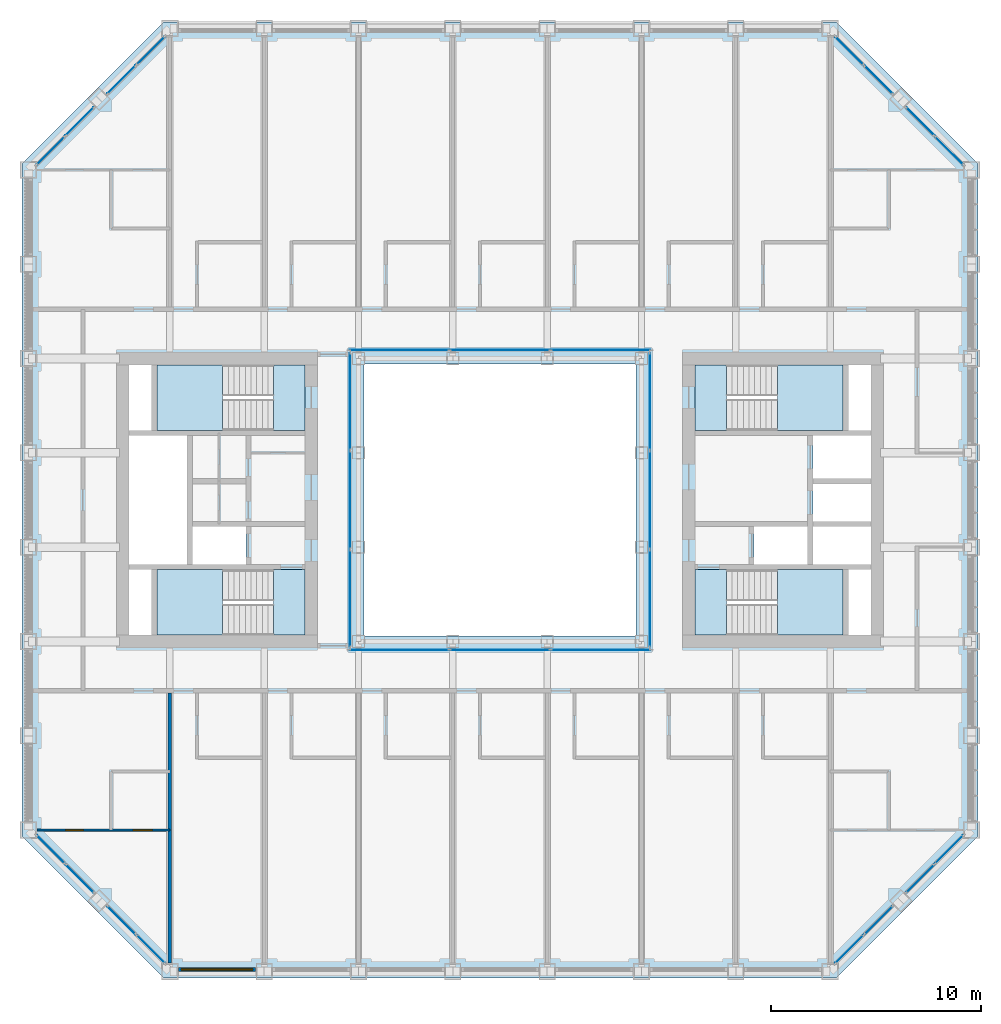
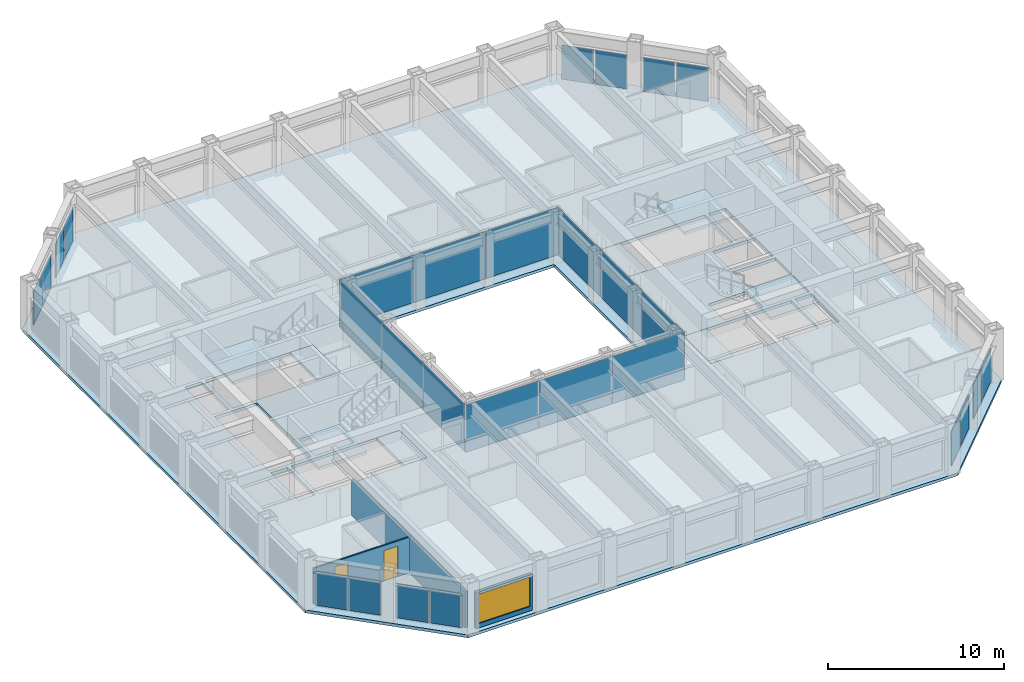
# One storey, part 9 of 18: 28 plates, 9 slabs, 3 walls, 2 doors, 1 window, 3 openings, 16 elements without a shape of their own.
"""IFC4 building model written with IfcOpenShell, lengths in metres."""

from ifc_helpers import new_model, si_unit, direction, frame, frame_2d, origin, origin_2d, place, context, subcontext, project, spatial, polyline, rectangle, outline, extrude, material, layer, layer_set, type_object, element, fill, aggregate, save


model = new_model("IFC4")

# Units and contexts
model_context = context("Model", 3, precision=1e-05, world=origin(), true_north=direction((0.0, 1.0)))
body_context = subcontext(model_context, "Body", "Model", "MODEL_VIEW")
ifc_project = project(units=[si_unit("LENGTHUNIT", "METRE"), si_unit("AREAUNIT", "SQUARE_METRE"), si_unit("VOLUMEUNIT", "CUBIC_METRE"), si_unit("PLANEANGLEUNIT", "RADIAN"), si_unit("MASSUNIT", "GRAM", prefix="KILO")], contexts=[model_context])

# Site, building, storey
site_placement = place(None, origin())
site = spatial("IfcSite", under=ifc_project, at=site_placement, CompositionType="ELEMENT")
building_placement = place(site_placement, origin())
building = spatial("IfcBuilding", under=site, at=building_placement, Name="Msasa Ring Tower", CompositionType="ELEMENT")
storey_placement = place(building_placement, frame((0.0, 0.0, 118.39990234375)))
storey = spatial("IfcBuildingStorey", under=building, at=storey_placement, Name="L30", CompositionType="ELEMENT", Elevation=118.39990234375)

# Curtain wall, plates
ifc_material_1 = material(Name="Aluminium curtain wall with clear glass", Category="aluminium")
curtain_wall_type_1 = type_object("IfcCurtainWallType", Name="CW-C CHAMFER CORNER CURTAIN WALL", PredefinedType="NOTDEFINED", material=ifc_material_1)
curtain_wall_1_placement = place(storey_placement, origin())
curtain_wall_1 = element("IfcCurtainWall", 1, at=curtain_wall_1_placement, inside=storey, type_object=curtain_wall_type_1, Name="Chamfer corner curtain wall SE L30", PredefinedType="NOTDEFINED")
ifc_material_2 = material(Name="Clear laminated insulating glass unit", Category="glass")
ifc_layer_1 = layer(ifc_material_2, 0.031982421875)
ifc_layer_set_1 = layer_set([ifc_layer_1], Name="CW-C GLASS PANEL 32")
plate_type_1 = type_object("IfcPlateType", Name="CW-C GLASS PANEL 32", PredefinedType="CURTAIN_PANEL", material=ifc_layer_set_1)
plate_1_placement = place(storey_placement, frame((16.677734375, -21.430908203125, 0.06494140625), z_axis=(0.0, 0.0, 1.0), x_axis=(0.707106781187, 0.707106781187, 0.0)))
plate_1 = element("IfcPlate", 2, at=plate_1_placement, type_object=plate_type_1, Name="CW-C panel 1.1", PredefinedType="CURTAIN_PANEL", context=body_context, shape_type="SweptSolid", body=[
    extrude(rectangle(XDim=1.884033203125, YDim=0.031982421875, at=origin_2d()), origin(), (0.0, 0.0, 1.0), 2.34912109375),
])
plate_2_placement = place(storey_placement, frame((18.055908203125, -20.052734375, 0.06494140625), z_axis=(0.0, 0.0, 1.0), x_axis=(0.707106781187, 0.707106781187, 0.0)))
plate_2 = element("IfcPlate", 3, at=plate_2_placement, type_object=plate_type_1, Name="CW-C panel 2.1", PredefinedType="CURTAIN_PANEL", context=body_context, shape_type="SweptSolid", body=[
    extrude(rectangle(XDim=1.884033203125, YDim=0.031982421875, at=origin_2d()), origin(), (0.0, 0.0, 1.0), 2.34912109375),
])
aggregate(curtain_wall_1, [plate_1, plate_2])

curtain_wall_2_placement = place(storey_placement, origin())
curtain_wall_2 = element("IfcCurtainWall", 4, at=curtain_wall_2_placement, inside=storey, type_object=curtain_wall_type_1, Name="Chamfer corner curtain wall SE L30", PredefinedType="NOTDEFINED")
plate_3_placement = place(storey_placement, frame((20.052734375, -18.055908203125, 0.06494140625), z_axis=(0.0, 0.0, 1.0), x_axis=(0.707106781187, 0.707106781187, 0.0)))
plate_3 = element("IfcPlate", 5, at=plate_3_placement, type_object=plate_type_1, Name="CW-C panel 1.1", PredefinedType="CURTAIN_PANEL", context=body_context, shape_type="SweptSolid", body=[
    extrude(rectangle(XDim=1.884033203125, YDim=0.031982421875, at=origin_2d()), origin(), (0.0, 0.0, 1.0), 2.34912109375),
])
plate_4_placement = place(storey_placement, frame((21.430908203125, -16.677734375, 0.06494140625), z_axis=(0.0, 0.0, 1.0), x_axis=(0.707106781187, 0.707106781187, 0.0)))
plate_4 = element("IfcPlate", 6, at=plate_4_placement, type_object=plate_type_1, Name="CW-C panel 2.1", PredefinedType="CURTAIN_PANEL", context=body_context, shape_type="SweptSolid", body=[
    extrude(rectangle(XDim=1.884033203125, YDim=0.031982421875, at=origin_2d()), origin(), (0.0, 0.0, 1.0), 2.34912109375),
])
aggregate(curtain_wall_2, [plate_3, plate_4])

curtain_wall_3_placement = place(storey_placement, origin())
curtain_wall_3 = element("IfcCurtainWall", 7, at=curtain_wall_3_placement, inside=storey, type_object=curtain_wall_type_1, Name="Chamfer corner curtain wall NE L30", PredefinedType="NOTDEFINED")
plate_5_placement = place(storey_placement, frame((18.055908203125, 20.052734375, 0.06494140625), z_axis=(0.0, 0.0, 1.0), x_axis=(-0.707106781187, 0.707106781187, 0.0)))
plate_5 = element("IfcPlate", 8, at=plate_5_placement, type_object=plate_type_1, Name="CW-C panel 1.1", PredefinedType="CURTAIN_PANEL", context=body_context, shape_type="SweptSolid", body=[
    extrude(rectangle(XDim=1.884033203125, YDim=0.031982421875, at=origin_2d()), origin(), (0.0, 0.0, 1.0), 2.34912109375),
])
plate_6_placement = place(storey_placement, frame((16.677734375, 21.430908203125, 0.06494140625), z_axis=(0.0, 0.0, 1.0), x_axis=(-0.707106781187, 0.707106781187, 0.0)))
plate_6 = element("IfcPlate", 9, at=plate_6_placement, type_object=plate_type_1, Name="CW-C panel 2.1", PredefinedType="CURTAIN_PANEL", context=body_context, shape_type="SweptSolid", body=[
    extrude(rectangle(XDim=1.884033203125, YDim=0.031982421875, at=origin_2d()), origin(), (0.0, 0.0, 1.0), 2.34912109375),
])
aggregate(curtain_wall_3, [plate_5, plate_6])

curtain_wall_4_placement = place(storey_placement, origin())
curtain_wall_4 = element("IfcCurtainWall", 10, at=curtain_wall_4_placement, inside=storey, type_object=curtain_wall_type_1, Name="Chamfer corner curtain wall NE L30", PredefinedType="NOTDEFINED")
plate_7_placement = place(storey_placement, frame((21.430908203125, 16.677734375, 0.06494140625), z_axis=(0.0, 0.0, 1.0), x_axis=(-0.707106781187, 0.707106781187, 0.0)))
plate_7 = element("IfcPlate", 11, at=plate_7_placement, type_object=plate_type_1, Name="CW-C panel 1.1", PredefinedType="CURTAIN_PANEL", context=body_context, shape_type="SweptSolid", body=[
    extrude(rectangle(XDim=1.884033203125, YDim=0.031982421875, at=origin_2d()), origin(), (0.0, 0.0, 1.0), 2.34912109375),
])
plate_8_placement = place(storey_placement, frame((20.052734375, 18.055908203125, 0.06494140625), z_axis=(0.0, 0.0, 1.0), x_axis=(-0.707106781187, 0.707106781187, 0.0)))
plate_8 = element("IfcPlate", 12, at=plate_8_placement, type_object=plate_type_1, Name="CW-C panel 2.1", PredefinedType="CURTAIN_PANEL", context=body_context, shape_type="SweptSolid", body=[
    extrude(rectangle(XDim=1.884033203125, YDim=0.031982421875, at=origin_2d()), origin(), (0.0, 0.0, 1.0), 2.34912109375),
])
aggregate(curtain_wall_4, [plate_7, plate_8])

curtain_wall_5_placement = place(storey_placement, origin())
curtain_wall_5 = element("IfcCurtainWall", 13, at=curtain_wall_5_placement, inside=storey, type_object=curtain_wall_type_1, Name="Chamfer corner curtain wall NW L30", PredefinedType="NOTDEFINED")
plate_9_placement = place(storey_placement, frame((-20.052734375, 18.055908203125, 0.06494140625), z_axis=(0.0, 0.0, 1.0), x_axis=(-0.707106781187, -0.707106781187, 0.0)))
plate_9 = element("IfcPlate", 14, at=plate_9_placement, type_object=plate_type_1, Name="CW-C panel 1.1", PredefinedType="CURTAIN_PANEL", context=body_context, shape_type="SweptSolid", body=[
    extrude(rectangle(XDim=1.884033203125, YDim=0.031982421875, at=origin_2d()), origin(), (0.0, 0.0, 1.0), 2.34912109375),
])
plate_10_placement = place(storey_placement, frame((-21.430908203125, 16.677734375, 0.06494140625), z_axis=(0.0, 0.0, 1.0), x_axis=(-0.707106781187, -0.707106781187, 0.0)))
plate_10 = element("IfcPlate", 15, at=plate_10_placement, type_object=plate_type_1, Name="CW-C panel 2.1", PredefinedType="CURTAIN_PANEL", context=body_context, shape_type="SweptSolid", body=[
    extrude(rectangle(XDim=1.884033203125, YDim=0.031982421875, at=origin_2d()), origin(), (0.0, 0.0, 1.0), 2.34912109375),
])
aggregate(curtain_wall_5, [plate_9, plate_10])

curtain_wall_6_placement = place(storey_placement, origin())
curtain_wall_6 = element("IfcCurtainWall", 16, at=curtain_wall_6_placement, inside=storey, type_object=curtain_wall_type_1, Name="Chamfer corner curtain wall NW L30", PredefinedType="NOTDEFINED")
plate_11_placement = place(storey_placement, frame((-16.677734375, 21.430908203125, 0.06494140625), z_axis=(0.0, 0.0, 1.0), x_axis=(-0.707106781187, -0.707106781187, 0.0)))
plate_11 = element("IfcPlate", 17, at=plate_11_placement, type_object=plate_type_1, Name="CW-C panel 1.1", PredefinedType="CURTAIN_PANEL", context=body_context, shape_type="SweptSolid", body=[
    extrude(rectangle(XDim=1.884033203125, YDim=0.031982421875, at=origin_2d()), origin(), (0.0, 0.0, 1.0), 2.34912109375),
])
plate_12_placement = place(storey_placement, frame((-18.055908203125, 20.052734375, 0.06494140625), z_axis=(0.0, 0.0, 1.0), x_axis=(-0.707106781187, -0.707106781187, 0.0)))
plate_12 = element("IfcPlate", 18, at=plate_12_placement, type_object=plate_type_1, Name="CW-C panel 2.1", PredefinedType="CURTAIN_PANEL", context=body_context, shape_type="SweptSolid", body=[
    extrude(rectangle(XDim=1.884033203125, YDim=0.031982421875, at=origin_2d()), origin(), (0.0, 0.0, 1.0), 2.34912109375),
])
aggregate(curtain_wall_6, [plate_11, plate_12])

curtain_wall_7_placement = place(storey_placement, origin())
curtain_wall_7 = element("IfcCurtainWall", 19, at=curtain_wall_7_placement, inside=storey, type_object=curtain_wall_type_1, Name="Chamfer corner curtain wall SW L30", PredefinedType="NOTDEFINED")
plate_13_placement = place(storey_placement, frame((-21.430908203125, -16.677734375, 0.06494140625), z_axis=(0.0, 0.0, 1.0), x_axis=(0.707106781187, -0.707106781187, 0.0)))
plate_13 = element("IfcPlate", 20, at=plate_13_placement, type_object=plate_type_1, Name="CW-C panel 1.1", PredefinedType="CURTAIN_PANEL", context=body_context, shape_type="SweptSolid", body=[
    extrude(rectangle(XDim=1.884033203125, YDim=0.031982421875, at=origin_2d()), origin(), (0.0, 0.0, 1.0), 2.34912109375),
])
plate_14_placement = place(storey_placement, frame((-20.052734375, -18.055908203125, 0.06494140625), z_axis=(0.0, 0.0, 1.0), x_axis=(0.707106781187, -0.707106781187, 0.0)))
plate_14 = element("IfcPlate", 21, at=plate_14_placement, type_object=plate_type_1, Name="CW-C panel 2.1", PredefinedType="CURTAIN_PANEL", context=body_context, shape_type="SweptSolid", body=[
    extrude(rectangle(XDim=1.884033203125, YDim=0.031982421875, at=origin_2d()), origin(), (0.0, 0.0, 1.0), 2.34912109375),
])
aggregate(curtain_wall_7, [plate_13, plate_14])

curtain_wall_8_placement = place(storey_placement, origin())
curtain_wall_8 = element("IfcCurtainWall", 22, at=curtain_wall_8_placement, inside=storey, type_object=curtain_wall_type_1, Name="Chamfer corner curtain wall SW L30", PredefinedType="NOTDEFINED")
plate_15_placement = place(storey_placement, frame((-18.055908203125, -20.052734375, 0.06494140625), z_axis=(0.0, 0.0, 1.0), x_axis=(0.707106781187, -0.707106781187, 0.0)))
plate_15 = element("IfcPlate", 23, at=plate_15_placement, type_object=plate_type_1, Name="CW-C panel 1.1", PredefinedType="CURTAIN_PANEL", context=body_context, shape_type="SweptSolid", body=[
    extrude(rectangle(XDim=1.884033203125, YDim=0.031982421875, at=origin_2d()), origin(), (0.0, 0.0, 1.0), 2.34912109375),
])
plate_16_placement = place(storey_placement, frame((-16.677734375, -21.430908203125, 0.06494140625), z_axis=(0.0, 0.0, 1.0), x_axis=(0.707106781187, -0.707106781187, 0.0)))
plate_16 = element("IfcPlate", 24, at=plate_16_placement, type_object=plate_type_1, Name="CW-C panel 2.1", PredefinedType="CURTAIN_PANEL", context=body_context, shape_type="SweptSolid", body=[
    extrude(rectangle(XDim=1.884033203125, YDim=0.031982421875, at=origin_2d()), origin(), (0.0, 0.0, 1.0), 2.34912109375),
])
aggregate(curtain_wall_8, [plate_15, plate_16])

ifc_material_3 = material(Name="Aluminium curtain wall with clear glass", Category="aluminium")
curtain_wall_type_2 = type_object("IfcCurtainWallType", Name="CW-W LIGHT WELL CURTAIN WALL", PredefinedType="NOTDEFINED", material=ifc_material_3)
curtain_wall_9_placement = place(storey_placement, origin())
curtain_wall_9 = element("IfcCurtainWall", 25, at=curtain_wall_9_placement, inside=storey, type_object=curtain_wall_type_2, Name="Light well curtain wall N L30", PredefinedType="NOTDEFINED")
ifc_material_4 = material(Name="Clear laminated insulating glass unit", Category="glass")
ifc_layer_2 = layer(ifc_material_4, 0.028076171875)
ifc_layer_set_2 = layer_set([ifc_layer_2], Name="CW-W GLASS PANEL 28")
plate_type_2 = type_object("IfcPlateType", Name="CW-W GLASS PANEL 28", PredefinedType="CURTAIN_PANEL", material=ifc_layer_set_2)
plate_17_placement = place(storey_placement, frame((-4.804931640625, 7.14990234375, 0.06005859375), z_axis=(0.0, 0.0, 1.0), x_axis=(1.0, 0.0, 0.0)))
plate_17 = element("IfcPlate", 26, at=plate_17_placement, type_object=plate_type_2, Name="CW-W panel 1.1", PredefinedType="CURTAIN_PANEL", context=body_context, shape_type="SweptSolid", body=[
    extrude(rectangle(XDim=4.72998046875, YDim=0.028076171875, at=origin_2d()), origin(), (0.0, 0.0, 1.0), 3.280029296875),
])
plate_18_placement = place(storey_placement, frame((0.0, 7.14990234375, 0.06005859375), z_axis=(0.0, 0.0, 1.0), x_axis=(1.0, 0.0, 0.0)))
plate_18 = element("IfcPlate", 27, at=plate_18_placement, type_object=plate_type_2, Name="CW-W panel 2.1", PredefinedType="CURTAIN_PANEL", context=body_context, shape_type="SweptSolid", body=[
    extrude(rectangle(XDim=4.760009765625, YDim=0.028076171875, at=origin_2d()), origin(), (0.0, 0.0, 1.0), 3.280029296875),
])
plate_19_placement = place(storey_placement, frame((4.804931640625, 7.14990234375, 0.06005859375), z_axis=(0.0, 0.0, 1.0), x_axis=(1.0, 0.0, 0.0)))
plate_19 = element("IfcPlate", 28, at=plate_19_placement, type_object=plate_type_2, Name="CW-W panel 3.1", PredefinedType="CURTAIN_PANEL", context=body_context, shape_type="SweptSolid", body=[
    extrude(rectangle(XDim=4.72998046875, YDim=0.028076171875, at=origin_2d()), origin(), (0.0, 0.0, 1.0), 3.280029296875),
])
aggregate(curtain_wall_9, [plate_17, plate_18, plate_19])

curtain_wall_10_placement = place(storey_placement, origin())
curtain_wall_10 = element("IfcCurtainWall", 29, at=curtain_wall_10_placement, inside=storey, type_object=curtain_wall_type_2, Name="Light well curtain wall S L30", PredefinedType="NOTDEFINED")
plate_20_placement = place(storey_placement, frame((-4.804931640625, -7.14990234375, 0.06005859375), z_axis=(0.0, 0.0, 1.0), x_axis=(1.0, 0.0, 0.0)))
plate_20 = element("IfcPlate", 30, at=plate_20_placement, type_object=plate_type_2, Name="CW-W panel 1.1", PredefinedType="CURTAIN_PANEL", context=body_context, shape_type="SweptSolid", body=[
    extrude(rectangle(XDim=4.72998046875, YDim=0.028076171875, at=origin_2d()), origin(), (0.0, 0.0, 1.0), 3.280029296875),
])
plate_21_placement = place(storey_placement, frame((0.0, -7.14990234375, 0.06005859375), z_axis=(0.0, 0.0, 1.0), x_axis=(1.0, 0.0, 0.0)))
plate_21 = element("IfcPlate", 31, at=plate_21_placement, type_object=plate_type_2, Name="CW-W panel 2.1", PredefinedType="CURTAIN_PANEL", context=body_context, shape_type="SweptSolid", body=[
    extrude(rectangle(XDim=4.760009765625, YDim=0.028076171875, at=origin_2d()), origin(), (0.0, 0.0, 1.0), 3.280029296875),
])
plate_22_placement = place(storey_placement, frame((4.804931640625, -7.14990234375, 0.06005859375), z_axis=(0.0, 0.0, 1.0), x_axis=(1.0, 0.0, 0.0)))
plate_22 = element("IfcPlate", 32, at=plate_22_placement, type_object=plate_type_2, Name="CW-W panel 3.1", PredefinedType="CURTAIN_PANEL", context=body_context, shape_type="SweptSolid", body=[
    extrude(rectangle(XDim=4.72998046875, YDim=0.028076171875, at=origin_2d()), origin(), (0.0, 0.0, 1.0), 3.280029296875),
])
aggregate(curtain_wall_10, [plate_20, plate_21, plate_22])

curtain_wall_11_placement = place(storey_placement, origin())
curtain_wall_11 = element("IfcCurtainWall", 33, at=curtain_wall_11_placement, inside=storey, type_object=curtain_wall_type_2, Name="Light well curtain wall E L30", PredefinedType="NOTDEFINED")
plate_23_placement = place(storey_placement, frame((7.14990234375, -4.6982421875, 0.06005859375), z_axis=(0.0, 0.0, 1.0), x_axis=(0.0, 1.0, 0.0)))
plate_23 = element("IfcPlate", 34, at=plate_23_placement, type_object=plate_type_2, Name="CW-W panel 1.1", PredefinedType="CURTAIN_PANEL", context=body_context, shape_type="SweptSolid", body=[
    extrude(rectangle(XDim=4.623291015625, YDim=0.028076171875, at=origin_2d()), origin(), (0.0, 0.0, 1.0), 3.280029296875),
])
plate_24_placement = place(storey_placement, frame((7.14990234375, 0.0, 0.06005859375), z_axis=(0.0, 0.0, 1.0), x_axis=(0.0, 1.0, 0.0)))
plate_24 = element("IfcPlate", 35, at=plate_24_placement, type_object=plate_type_2, Name="CW-W panel 2.1", PredefinedType="CURTAIN_PANEL", context=body_context, shape_type="SweptSolid", body=[
    extrude(rectangle(XDim=4.6533203125, YDim=0.028076171875, at=origin_2d()), origin(), (0.0, 0.0, 1.0), 3.280029296875),
])
plate_25_placement = place(storey_placement, frame((7.14990234375, 4.6982421875, 0.06005859375), z_axis=(0.0, 0.0, 1.0), x_axis=(0.0, 1.0, 0.0)))
plate_25 = element("IfcPlate", 36, at=plate_25_placement, type_object=plate_type_2, Name="CW-W panel 3.1", PredefinedType="CURTAIN_PANEL", context=body_context, shape_type="SweptSolid", body=[
    extrude(rectangle(XDim=4.623291015625, YDim=0.028076171875, at=origin_2d()), origin(), (0.0, 0.0, 1.0), 3.280029296875),
])
aggregate(curtain_wall_11, [plate_23, plate_24, plate_25])

curtain_wall_12_placement = place(storey_placement, origin())
curtain_wall_12 = element("IfcCurtainWall", 37, at=curtain_wall_12_placement, inside=storey, type_object=curtain_wall_type_2, Name="Light well curtain wall W L30", PredefinedType="NOTDEFINED")
plate_26_placement = place(storey_placement, frame((-7.14990234375, -4.6982421875, 0.06005859375), z_axis=(0.0, 0.0, 1.0), x_axis=(0.0, 1.0, 0.0)))
plate_26 = element("IfcPlate", 38, at=plate_26_placement, type_object=plate_type_2, Name="CW-W panel 1.1", PredefinedType="CURTAIN_PANEL", context=body_context, shape_type="SweptSolid", body=[
    extrude(rectangle(XDim=4.623291015625, YDim=0.028076171875, at=origin_2d()), origin(), (0.0, 0.0, 1.0), 3.280029296875),
])
plate_27_placement = place(storey_placement, frame((-7.14990234375, 0.0, 0.06005859375), z_axis=(0.0, 0.0, 1.0), x_axis=(0.0, 1.0, 0.0)))
plate_27 = element("IfcPlate", 39, at=plate_27_placement, type_object=plate_type_2, Name="CW-W panel 2.1", PredefinedType="CURTAIN_PANEL", context=body_context, shape_type="SweptSolid", body=[
    extrude(rectangle(XDim=4.6533203125, YDim=0.028076171875, at=origin_2d()), origin(), (0.0, 0.0, 1.0), 3.280029296875),
])
plate_28_placement = place(storey_placement, frame((-7.14990234375, 4.6982421875, 0.06005859375), z_axis=(0.0, 0.0, 1.0), x_axis=(0.0, 1.0, 0.0)))
plate_28 = element("IfcPlate", 40, at=plate_28_placement, type_object=plate_type_2, Name="CW-W panel 3.1", PredefinedType="CURTAIN_PANEL", context=body_context, shape_type="SweptSolid", body=[
    extrude(rectangle(XDim=4.623291015625, YDim=0.028076171875, at=origin_2d()), origin(), (0.0, 0.0, 1.0), 3.280029296875),
])
aggregate(curtain_wall_12, [plate_26, plate_27, plate_28])

# Stair, slabs
ifc_material_5 = material(Name="Concrete C40/50", Category="concrete")
stair_type = type_object("IfcStairType", Name="STC CORE STAIR 20 RISERS 180", PredefinedType="HALF_TURN_STAIR", material=ifc_material_5)
stair_1_placement = place(storey_placement, origin())
stair_1 = element("IfcStair", 41, at=stair_1_placement, inside=storey, type_object=stair_type, Name="Core stair SEA L30", PredefinedType="HALF_TURN_STAIR")
ifc_material_6 = material(Name="Concrete C40/50", Category="concrete")
ifc_layer_3 = layer(ifc_material_6, 0.199951171875)
ifc_layer_set_3 = layer_set([ifc_layer_3], Name="LD1 CORE STAIR LANDING 200")
slab_type_1 = type_object("IfcSlabType", Name="LD1 CORE STAIR LANDING 200", PredefinedType="LANDING", material=ifc_layer_set_3)
slab_1_placement = place(storey_placement, frame((0.0, 0.0, -0.199951171875)))
slab_1 = element("IfcSlab", 42, at=slab_1_placement, type_object=slab_type_1, Name="SEA landing 1", PredefinedType="LANDING", context=body_context, shape_type="SweptSolid", body=[
    extrude(outline(polyline([(9.300048828125, -6.449951171875), (10.800048828125, -6.449951171875), (10.800048828125, -3.324951171875), (9.300048828125, -3.324951171875), (9.300048828125, -6.449951171875)])), origin(), (0.0, 0.0, 1.0), 0.199951171875),
])
slab_2_placement = place(storey_placement, frame((0.0, 0.0, 1.60009765625)))
slab_2 = element("IfcSlab", 43, at=slab_2_placement, type_object=slab_type_1, Name="SEA landing 2", PredefinedType="LANDING", context=body_context, shape_type="SweptSolid", body=[
    extrude(outline(polyline([(13.22998046875, -6.449951171875), (16.375, -6.449951171875), (16.375, -3.324951171875), (13.22998046875, -3.324951171875), (13.22998046875, -6.449951171875)])), origin(), (0.0, 0.0, 1.0), 0.199951171875),
])
aggregate(stair_1, [slab_1, slab_2])

stair_2_placement = place(storey_placement, origin())
stair_2 = element("IfcStair", 44, at=stair_2_placement, inside=storey, type_object=stair_type, Name="Core stair SEB L30", PredefinedType="HALF_TURN_STAIR")
slab_3_placement = place(storey_placement, frame((0.0, 0.0, -0.199951171875)))
slab_3 = element("IfcSlab", 45, at=slab_3_placement, type_object=slab_type_1, Name="SEB landing 1", PredefinedType="LANDING", context=body_context, shape_type="SweptSolid", body=[
    extrude(outline(polyline([(9.300048828125, 3.324951171875), (10.800048828125, 3.324951171875), (10.800048828125, 6.449951171875), (9.300048828125, 6.449951171875), (9.300048828125, 3.324951171875)])), origin(), (0.0, 0.0, 1.0), 0.199951171875),
])
slab_4_placement = place(storey_placement, frame((0.0, 0.0, 1.60009765625)))
slab_4 = element("IfcSlab", 46, at=slab_4_placement, type_object=slab_type_1, Name="SEB landing 2", PredefinedType="LANDING", context=body_context, shape_type="SweptSolid", body=[
    extrude(outline(polyline([(13.22998046875, 3.324951171875), (16.375, 3.324951171875), (16.375, 6.449951171875), (13.22998046875, 6.449951171875), (13.22998046875, 3.324951171875)])), origin(), (0.0, 0.0, 1.0), 0.199951171875),
])
aggregate(stair_2, [slab_3, slab_4])

stair_3_placement = place(storey_placement, origin())
stair_3 = element("IfcStair", 47, at=stair_3_placement, inside=storey, type_object=stair_type, Name="Core stair SWA L30", PredefinedType="HALF_TURN_STAIR")
slab_5_placement = place(storey_placement, frame((0.0, 0.0, -0.199951171875)))
slab_5 = element("IfcSlab", 48, at=slab_5_placement, type_object=slab_type_1, Name="SWA landing 1", PredefinedType="LANDING", context=body_context, shape_type="SweptSolid", body=[
    extrude(outline(polyline([(-10.800048828125, -6.449951171875), (-9.300048828125, -6.449951171875), (-9.300048828125, -3.324951171875), (-10.800048828125, -3.324951171875), (-10.800048828125, -6.449951171875)])), origin(), (0.0, 0.0, 1.0), 0.199951171875),
])
slab_6_placement = place(storey_placement, frame((0.0, 0.0, 1.60009765625)))
slab_6 = element("IfcSlab", 49, at=slab_6_placement, type_object=slab_type_1, Name="SWA landing 2", PredefinedType="LANDING", context=body_context, shape_type="SweptSolid", body=[
    extrude(outline(polyline([(-16.375, -6.449951171875), (-13.22998046875, -6.449951171875), (-13.22998046875, -3.324951171875), (-16.375, -3.324951171875), (-16.375, -6.449951171875)])), origin(), (0.0, 0.0, 1.0), 0.199951171875),
])
aggregate(stair_3, [slab_5, slab_6])

stair_4_placement = place(storey_placement, origin())
stair_4 = element("IfcStair", 50, at=stair_4_placement, inside=storey, type_object=stair_type, Name="Core stair SWB L30", PredefinedType="HALF_TURN_STAIR")
slab_7_placement = place(storey_placement, frame((0.0, 0.0, -0.199951171875)))
slab_7 = element("IfcSlab", 51, at=slab_7_placement, type_object=slab_type_1, Name="SWB landing 1", PredefinedType="LANDING", context=body_context, shape_type="SweptSolid", body=[
    extrude(outline(polyline([(-10.800048828125, 3.324951171875), (-9.300048828125, 3.324951171875), (-9.300048828125, 6.449951171875), (-10.800048828125, 6.449951171875), (-10.800048828125, 3.324951171875)])), origin(), (0.0, 0.0, 1.0), 0.199951171875),
])
slab_8_placement = place(storey_placement, frame((0.0, 0.0, 1.60009765625)))
slab_8 = element("IfcSlab", 52, at=slab_8_placement, type_object=slab_type_1, Name="SWB landing 2", PredefinedType="LANDING", context=body_context, shape_type="SweptSolid", body=[
    extrude(outline(polyline([(-16.375, 3.324951171875), (-13.22998046875, 3.324951171875), (-13.22998046875, 6.449951171875), (-16.375, 6.449951171875), (-16.375, 3.324951171875)])), origin(), (0.0, 0.0, 1.0), 0.199951171875),
])
aggregate(stair_4, [slab_7, slab_8])

# Slab
ifc_material_7 = material(Name="Concrete C40/50", Category="concrete")
ifc_layer_4 = layer(ifc_material_7, 0.199951171875)
ifc_layer_set_4 = layer_set([ifc_layer_4], Name="S6 GUEST FLOOR 200")
slab_type_2 = type_object("IfcSlabType", Name="S6 GUEST FLOOR 200", PredefinedType="FLOOR", material=ifc_layer_set_4)
slab_9_placement = place(storey_placement, frame((0.0, 0.0, -0.199951171875)))
element("IfcSlab", 53, at=slab_9_placement, inside=storey, type_object=slab_type_2, Name="Floor slab L30", PredefinedType="FLOOR", context=body_context, shape_type="SweptSolid", body=[
    extrude(outline(polyline([(-16.050048828125, -22.800048828125), (16.050048828125, -22.800048828125), (22.800048828125, -16.050048828125), (22.800048828125, 16.050048828125), (16.050048828125, 22.800048828125), (-16.050048828125, 22.800048828125), (-22.800048828125, 16.050048828125), (-22.800048828125, -16.050048828125), (-16.050048828125, -22.800048828125)]), holes=[polyline([(-6.5, -6.5), (6.5, -6.5), (6.5, 6.5), (-6.5, 6.5), (-6.5, -6.5)]), polyline([(9.300048828125, -6.449951171875), (16.375, -6.449951171875), (16.375, -3.324951171875), (9.300048828125, -3.324951171875), (9.300048828125, -6.449951171875)]), polyline([(9.300048828125, 3.324951171875), (16.375, 3.324951171875), (16.375, 6.449951171875), (9.300048828125, 6.449951171875), (9.300048828125, 3.324951171875)]), polyline([(12.125, -3.074951171875), (14.675048828125, -3.074951171875), (14.675048828125, -1.27490234375), (12.125, -1.27490234375), (12.125, -3.074951171875)]), polyline([(16.625, -6.449951171875), (17.699951171875, -6.449951171875), (17.699951171875, -3.324951171875), (16.625, -3.324951171875), (16.625, -6.449951171875)]), polyline([(16.625, 3.324951171875), (17.699951171875, 3.324951171875), (17.699951171875, 6.449951171875), (16.625, 6.449951171875), (16.625, 3.324951171875)]), polyline([(14.925048828125, -3.074951171875), (17.699951171875, -3.074951171875), (17.699951171875, -1.27490234375), (14.925048828125, -1.27490234375), (14.925048828125, -3.074951171875)]), polyline([(14.925048828125, -1.02490234375), (17.699951171875, -1.02490234375), (17.699951171875, 0.77490234375), (14.925048828125, 0.77490234375), (14.925048828125, -1.02490234375)]), polyline([(14.925048828125, 1.02490234375), (17.699951171875, 1.02490234375), (17.699951171875, 3.074951171875), (14.925048828125, 3.074951171875), (14.925048828125, 1.02490234375)]), polyline([(-16.375, -6.449951171875), (-9.300048828125, -6.449951171875), (-9.300048828125, -3.324951171875), (-16.375, -3.324951171875), (-16.375, -6.449951171875)]), polyline([(-16.375, 3.324951171875), (-9.300048828125, 3.324951171875), (-9.300048828125, 6.449951171875), (-16.375, 6.449951171875), (-16.375, 3.324951171875)]), polyline([(-14.675048828125, -3.074951171875), (-12.125, -3.074951171875), (-12.125, -1.27490234375), (-14.675048828125, -1.27490234375), (-14.675048828125, -3.074951171875)]), polyline([(-17.699951171875, -6.449951171875), (-16.625, -6.449951171875), (-16.625, -3.324951171875), (-17.699951171875, -3.324951171875), (-17.699951171875, -6.449951171875)]), polyline([(-17.699951171875, 3.324951171875), (-16.625, 3.324951171875), (-16.625, 6.449951171875), (-17.699951171875, 6.449951171875), (-17.699951171875, 3.324951171875)]), polyline([(-17.699951171875, -3.074951171875), (-14.925048828125, -3.074951171875), (-14.925048828125, 3.074951171875), (-17.699951171875, 3.074951171875), (-17.699951171875, -3.074951171875)])]), origin(), (0.0, 0.0, 1.0), 0.199951171875),
])

# Wall, opening, window
ifc_material_8 = material(Name="Terracotta rainscreen on blockwork", Category="masonry")
ifc_layer_5 = layer(ifc_material_8, 0.199951171875)
ifc_layer_set_5 = layer_set([ifc_layer_5], Name="FW1 TERRACOTTA-LINED INFILL BAY WALL 200")
wall_type_1 = type_object("IfcWallType", Name="FW1 TERRACOTTA-LINED INFILL BAY WALL 200", PredefinedType="SOLIDWALL", material=ifc_layer_set_5)
wall_1_placement = place(storey_placement, frame((-15.344970703125, -22.39990234375, 0.0), z_axis=(0.0, 0.0, 1.0), x_axis=(1.0, 0.0, 0.0)))
wall_1 = element("IfcWall", 54, at=wall_1_placement, inside=storey, type_object=wall_type_1, Name="Infill bay wall S L30 00", PredefinedType="SOLIDWALL", context=body_context, shape_type="SweptSolid", body=[
    extrude(rectangle(XDim=3.68994140625, YDim=0.199951171875, at=frame_2d((1.844970703125, 0.0))), origin(), (0.0, 0.0, 1.0), 2.47900390625),
])
opening_1_placement = place(wall_1_placement, frame((0.14501953125, 0.0, 0.300048828125)))
opening_1 = element("IfcOpeningElement", 55, at=opening_1_placement, cuts=wall_1, Name="Opening WN2", PredefinedType="OPENING", context=body_context, shape_type="SweptSolid", body=[
    extrude(rectangle(XDim=3.39990234375, YDim=2.029052734375, at=frame_2d((1.699951171875, 1.0146484375))), frame((0.0, 0.10986328125, 0.0), z_axis=(0.0, -1.0, 0.0), x_axis=(1.0, 0.0, 0.0)), (0.0, 0.0, 1.0), 0.219970703125),
])
ifc_material_9 = material(Name="Aluminium frame with clear glass", Category="aluminium")
window_type = type_object("IfcWindowType", Name="WN2 GUEST ROOM WINDOW 3400x2029", PartitioningType="SINGLE_PANEL", PredefinedType="WINDOW", material=ifc_material_9)
window_placement = place(opening_1_placement, origin())
window = element("IfcWindow", 56, at=window_placement, inside=storey, type_object=window_type, Name="Window S L30 00", OverallHeight=2.029052734375, OverallWidth=3.39990234375, PartitioningType="SINGLE_PANEL", PredefinedType="WINDOW", context=body_context, shape_type="SweptSolid", body=[
    extrude(rectangle(XDim=3.39990234375, YDim=2.029052734375, at=frame_2d((1.699951171875, 1.0146484375))), frame((0.0, 0.030029296875, 0.0), z_axis=(0.0, -1.0, 0.0), x_axis=(1.0, 0.0, 0.0)), (0.0, 0.0, 1.0), 0.06005859375),
])
fill(opening_1, window)

# Wall, openings, doors
ifc_material_10 = material(Name="Gypsum board on steel studs", Category="steel")
ifc_layer_6 = layer(ifc_material_10, 0.10009765625)
ifc_layer_set_6 = layer_set([ifc_layer_6], Name="PT2 STUD PARTITION 100")
wall_type_2 = type_object("IfcWallType", Name="PT2 STUD PARTITION 100", PredefinedType="PARTITIONING", material=ifc_layer_set_6)
wall_2_placement = place(storey_placement, frame((-22.10009765625, -15.75, 0.0), z_axis=(0.0, 0.0, 1.0), x_axis=(1.0, 0.0, 0.0)))
wall_2 = element("IfcWall", 57, at=wall_2_placement, inside=storey, type_object=wall_type_2, Name="Partition L30-CSSWX", PredefinedType="PARTITIONING", context=body_context, shape_type="SweptSolid", body=[
    extrude(rectangle(XDim=6.35009765625, YDim=0.10009765625, at=frame_2d((3.175048828125, 0.0))), origin(), (0.0, 0.0, 1.0), 2.473388671875),
])
opening_2_placement = place(wall_2_placement, frame((1.375, 0.0, 0.0)))
opening_2 = element("IfcOpeningElement", 58, at=opening_2_placement, cuts=wall_2, Name="Opening HA-055", PredefinedType="OPENING", context=body_context, shape_type="SweptSolid", body=[
    extrude(rectangle(XDim=0.85009765625, YDim=2.10009765625, at=frame_2d((0.425048828125, 1.050048828125))), frame((0.0, 0.06005859375, 0.0), z_axis=(0.0, -1.0, 0.0), x_axis=(1.0, 0.0, 0.0)), (0.0, 0.0, 1.0), 0.1201171875),
])
opening_3_placement = place(wall_2_placement, frame((4.60009765625, 0.0, 0.0)))
opening_3 = element("IfcOpeningElement", 59, at=opening_3_placement, cuts=wall_2, Name="Opening HA-056", PredefinedType="OPENING", context=body_context, shape_type="SweptSolid", body=[
    extrude(rectangle(XDim=0.89990234375, YDim=2.10009765625, at=frame_2d((0.449951171875, 1.050048828125))), frame((0.0, 0.06005859375, 0.0), z_axis=(0.0, -1.0, 0.0), x_axis=(1.0, 0.0, 0.0)), (0.0, 0.0, 1.0), 0.1201171875),
])
ifc_material_11 = material(Name="Timber door leaf in a steel frame", Category="steel")
door_type_1 = type_object("IfcDoorType", Name="D14 BEDROOM DOOR 850x2100", OperationType="SINGLE_SWING_LEFT", PredefinedType="DOOR", material=ifc_material_11)
door_1_placement = place(opening_2_placement, origin())
door_1 = element("IfcDoor", 60, at=door_1_placement, inside=storey, type_object=door_type_1, Name="Door L30-CSSWR1", OperationType="SINGLE_SWING_LEFT", OverallHeight=2.10009765625, OverallWidth=0.85009765625, PredefinedType="DOOR", context=body_context, shape_type="SweptSolid", body=[
    extrude(rectangle(XDim=0.85009765625, YDim=2.10009765625, at=frame_2d((0.425048828125, 1.050048828125))), frame((0.0, 0.02490234375, 0.0), z_axis=(0.0, -1.0, 0.0), x_axis=(1.0, 0.0, 0.0)), (0.0, 0.0, 1.0), 0.050048828125),
])
fill(opening_2, door_1)
ifc_material_12 = material(Name="Timber door leaf in a steel frame", Category="steel")
door_type_2 = type_object("IfcDoorType", Name="D3 BATHROOM DOOR 900x2100", OperationType="SINGLE_SWING_LEFT", PredefinedType="DOOR", material=ifc_material_12)
door_2_placement = place(opening_3_placement, origin())
door_2 = element("IfcDoor", 61, at=door_2_placement, inside=storey, type_object=door_type_2, Name="Door L30-CSSWB1", OperationType="SINGLE_SWING_RIGHT", OverallHeight=2.10009765625, OverallWidth=0.89990234375, PredefinedType="DOOR", context=body_context, shape_type="SweptSolid", body=[
    extrude(rectangle(XDim=0.89990234375, YDim=2.10009765625, at=frame_2d((0.449951171875, 1.050048828125))), frame((0.0, 0.02490234375, 0.0), z_axis=(0.0, -1.0, 0.0), x_axis=(1.0, 0.0, 0.0)), (0.0, 0.0, 1.0), 0.050048828125),
])
fill(opening_3, door_2)

# Wall
ifc_material_13 = material(Name="Twin steel studs, two layers of acoustic board each face, mineral wool", Category="steel")
ifc_layer_7 = layer(ifc_material_13, 0.175048828125)
ifc_layer_set_7 = layer_set([ifc_layer_7], Name="PT5 GUEST ROOM SEPARATING WALL 175")
wall_type_3 = type_object("IfcWallType", Name="PT5 GUEST ROOM SEPARATING WALL 175", PredefinedType="PARTITIONING", material=ifc_layer_set_7)
wall_3_placement = place(storey_placement, frame((-15.75, -22.10009765625, 0.0), z_axis=(0.0, 0.0, 1.0), x_axis=(0.0, 1.0, 0.0)))
element("IfcWall", 62, at=wall_3_placement, inside=storey, type_object=wall_type_3, Name="Partition L30-PWS-15.75", PredefinedType="PARTITIONING", context=body_context, shape_type="SweptSolid", body=[
    extrude(rectangle(XDim=12.900146484375, YDim=0.175048828125, at=frame_2d((6.4501953125, 0.0))), origin(), (0.0, 0.0, 1.0), 2.473388671875),
])

save(model, "model.ifc")
